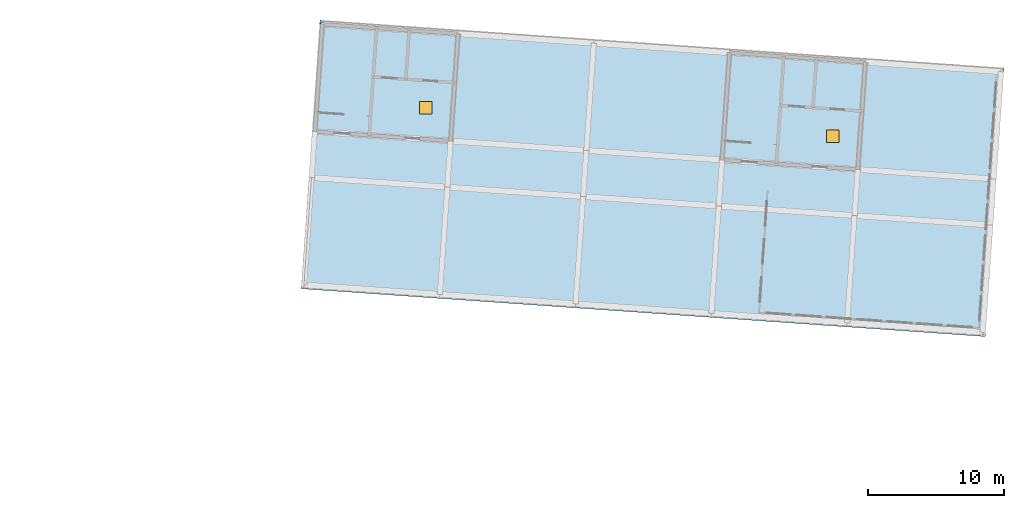
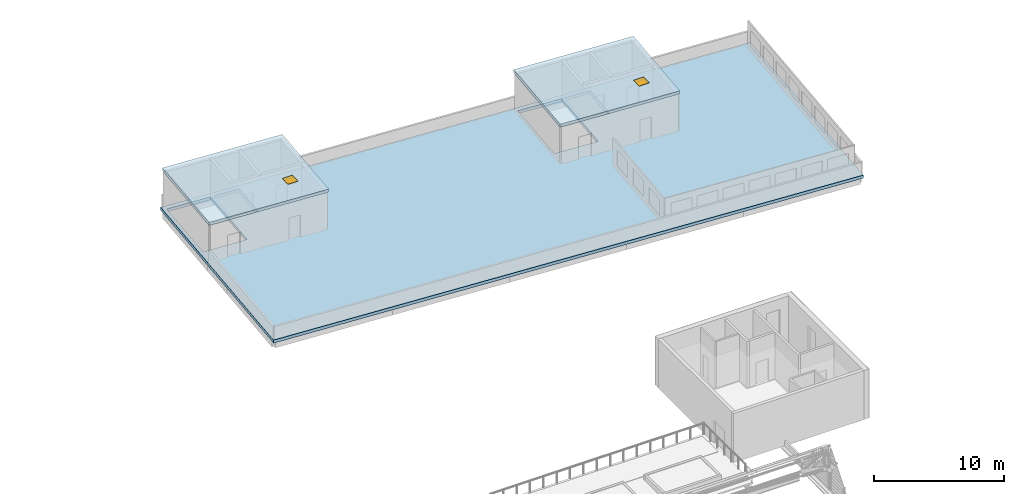
# One storey, part 68 of 110: 3 slabs, 2 windows, 2 openings.
"""IFC4 building model written with IfcOpenShell, lengths in metres."""

from ifc_helpers import new_model, si_unit, direction, frame, origin, origin_2d, place, context, subcontext, project, spatial, polyline, rectangle, outline, extrude, material, layer, layer_set, type_object, element, fill, save


model = new_model("IFC4")

# Units and contexts
model_context = context("Model", 3, precision=1e-05, world=origin(), true_north=direction((0.0, 1.0)))
body_context = subcontext(model_context, "Body", "Model", "MODEL_VIEW")
ifc_project = project(units=[si_unit("LENGTHUNIT", "METRE"), si_unit("AREAUNIT", "SQUARE_METRE"), si_unit("VOLUMEUNIT", "CUBIC_METRE"), si_unit("PLANEANGLEUNIT", "RADIAN"), si_unit("MASSUNIT", "GRAM", prefix="KILO")], contexts=[model_context])

# Site, building, storey
site_placement = place(None, origin())
site = spatial("IfcSite", under=ifc_project, at=site_placement, CompositionType="ELEMENT")
building_placement = place(site_placement, origin())
building = spatial("IfcBuilding", under=site, at=building_placement, Name="Windward Yard Aquatics Centre", CompositionType="ELEMENT")
storey_placement = place(building_placement, frame((0.0, 0.0, 22.60009765625)))
storey = spatial("IfcBuildingStorey", under=building, at=storey_placement, Name="L05", CompositionType="ELEMENT", Elevation=22.60009765625)

# Slab
ifc_material_1 = material(Name="Bituminous waterproofing membrane with root barrier")
ifc_layer_1 = layer(ifc_material_1, 0.005, Name="Waterproofing")
ifc_material_2 = material(Name="Mineral wool insulation")
ifc_layer_2 = layer(ifc_material_2, 0.08, Name="Insulation")
ifc_material_3 = material(Name="Cement screed laid to falls")
ifc_layer_3 = layer(ifc_material_3, 0.04, Name="Falls")
ifc_material_4 = material(Name="Concrete C35/45", Category="concrete")
ifc_layer_4 = layer(ifc_material_4, 0.155, Name="Structure")
ifc_layer_set = layer_set([ifc_layer_1, ifc_layer_2, ifc_layer_3, ifc_layer_4], Name="W roof slab 280 Concrete C35/45")
slab_type = type_object("IfcSlabType", Name="W roof slab 280 Concrete C35/45", PredefinedType="ROOF", material=ifc_layer_set)
slab_1_placement = place(storey_placement, frame((0.0, 0.0, -0.280029296875)))
element("IfcSlab", 1, at=slab_1_placement, inside=storey, type_object=slab_type, Name="W.SLAB.L05", PredefinedType="ROOF", context=body_context, shape_type="SweptSolid", body=[
    extrude(outline(polyline([(117.618408203125, 115.882080078125), (167.895751953125, 112.366455078125), (169.27685546875, 132.118408203125), (118.99951171875, 135.634033203125), (117.618408203125, 115.882080078125)]), holes=[polyline([(118.85009765625, 128.837890625), (122.591064453125, 128.576416015625), (123.034912109375, 134.92578125), (119.294189453125, 135.187255859375), (118.85009765625, 128.837890625)]), polyline([(123.05078125, 131.56640625), (125.195556640625, 131.41650390625), (125.42919921875, 134.75830078125), (123.284423828125, 134.908203125), (123.05078125, 131.56640625)]), polyline([(148.777099609375, 126.7451171875), (152.51806640625, 126.483642578125), (152.9619140625, 132.8330078125), (149.22119140625, 133.0947265625), (148.777099609375, 126.7451171875)]), polyline([(152.977783203125, 129.473876953125), (155.122314453125, 129.32373046875), (155.356201171875, 132.665771484375), (153.211181640625, 132.815673828125), (152.977783203125, 129.473876953125)])]), origin(), (0.0, 0.0, 1.0), 0.280029296875),
])

# Slab, opening, window
slab_2_placement = place(storey_placement, frame((0.0, 0.0, 3.5)))
slab_2 = element("IfcSlab", 2, at=slab_2_placement, inside=storey, type_object=slab_type, Name="W.HHSLAB.W", PredefinedType="ROOF", context=body_context, shape_type="SweptSolid", body=[
    extrude(outline(polyline([(118.49365234375, 127.323974609375), (128.71875, 126.60888671875), (129.287109375, 134.7392578125), (119.062255859375, 135.4541015625), (118.49365234375, 127.323974609375)])), origin(), (0.0, 0.0, 1.0), 0.27978515625),
])
opening_1_placement = place(slab_2_placement, frame((126.76806640625, 129.176513671875, 0.0)))
opening_1 = element("IfcOpeningElement", 3, at=opening_1_placement, cuts=slab_2, Name="Opening WRH1", PredefinedType="OPENING", context=body_context, shape_type="SweptSolid", body=[
    extrude(rectangle(XDim=0.89990234375, YDim=0.89990234375, at=origin_2d()), origin(), (0.0, 0.0, 1.0), 0.27978515625),
])
ifc_material_5 = material(Name="Aluminium framed glazing", Category="aluminium")
window_type = type_object("IfcWindowType", Name="W roof access hatch 900x900", PartitioningType="SINGLE_PANEL", PredefinedType="SKYLIGHT", material=ifc_material_5)
window_1_placement = place(opening_1_placement, frame((0.0, 0.0, 0.229736328125)))
window_1 = element("IfcWindow", 4, at=window_1_placement, inside=storey, type_object=window_type, Name="Roof access hatch", OverallHeight=0.89990234375, OverallWidth=0.89990234375, PartitioningType="SINGLE_PANEL", PredefinedType="SKYLIGHT", context=body_context, shape_type="SweptSolid", body=[
    extrude(rectangle(XDim=0.89990234375, YDim=0.89990234375, at=origin_2d()), origin(), (0.0, 0.0, 1.0), 0.050048828125),
])
fill(opening_1, window_1)

slab_3_placement = place(storey_placement, frame((0.0, 0.0, 3.5)))
slab_3 = element("IfcSlab", 5, at=slab_3_placement, inside=storey, type_object=slab_type, Name="W.HHSLAB.E", PredefinedType="ROOF", context=body_context, shape_type="SweptSolid", body=[
    extrude(outline(polyline([(148.420654296875, 125.231201171875), (158.6455078125, 124.516357421875), (159.214111328125, 132.646484375), (148.989013671875, 133.361572265625), (148.420654296875, 125.231201171875)])), origin(), (0.0, 0.0, 1.0), 0.27978515625),
])
opening_2_placement = place(slab_3_placement, frame((156.695068359375, 127.083740234375, 0.0)))
opening_2 = element("IfcOpeningElement", 6, at=opening_2_placement, cuts=slab_3, Name="Opening WRH2", PredefinedType="OPENING", context=body_context, shape_type="SweptSolid", body=[
    extrude(rectangle(XDim=0.89990234375, YDim=0.89990234375, at=origin_2d()), origin(), (0.0, 0.0, 1.0), 0.27978515625),
])
window_2_placement = place(opening_2_placement, frame((0.0, 0.0, 0.229736328125)))
window_2 = element("IfcWindow", 7, at=window_2_placement, inside=storey, type_object=window_type, Name="Roof access hatch", OverallHeight=0.89990234375, OverallWidth=0.89990234375, PartitioningType="SINGLE_PANEL", PredefinedType="SKYLIGHT", context=body_context, shape_type="SweptSolid", body=[
    extrude(rectangle(XDim=0.89990234375, YDim=0.89990234375, at=origin_2d()), origin(), (0.0, 0.0, 1.0), 0.050048828125),
])
fill(opening_2, window_2)

save(model, "model.ifc")
